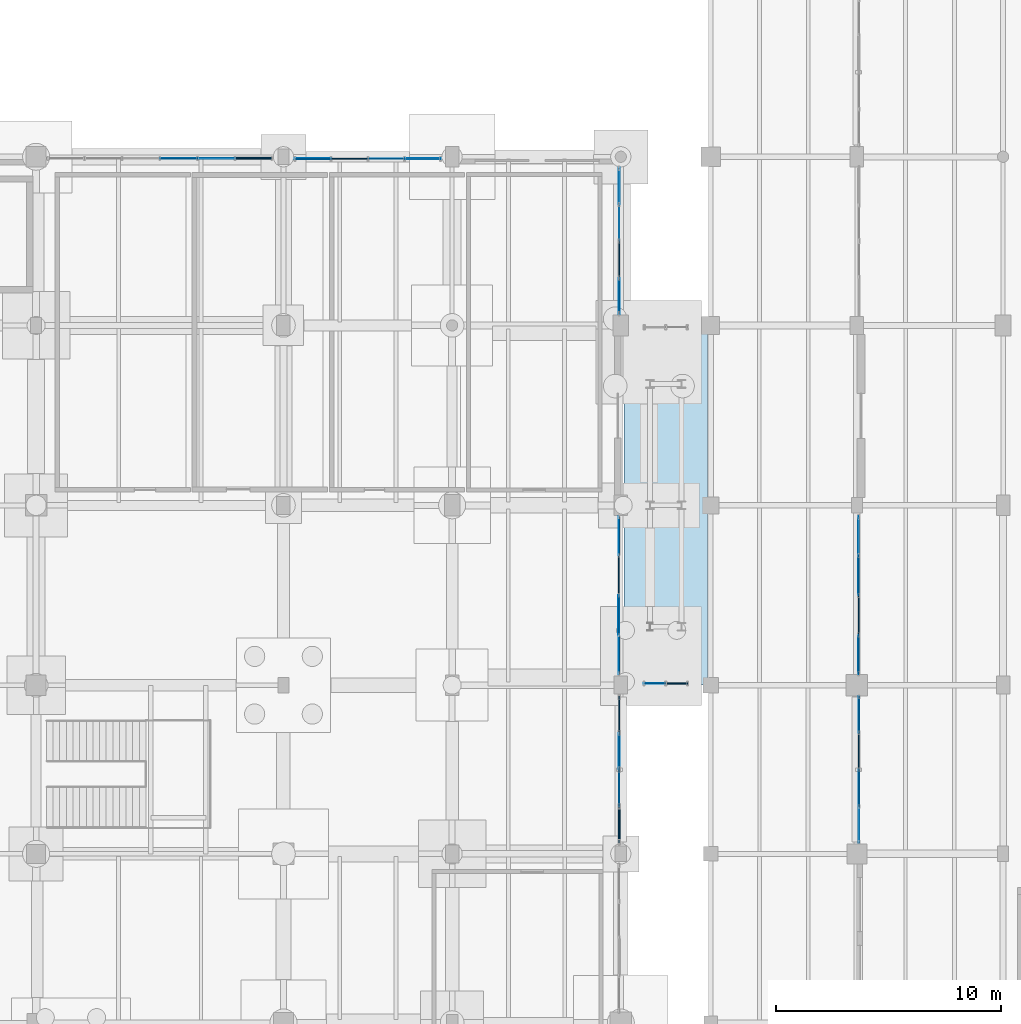
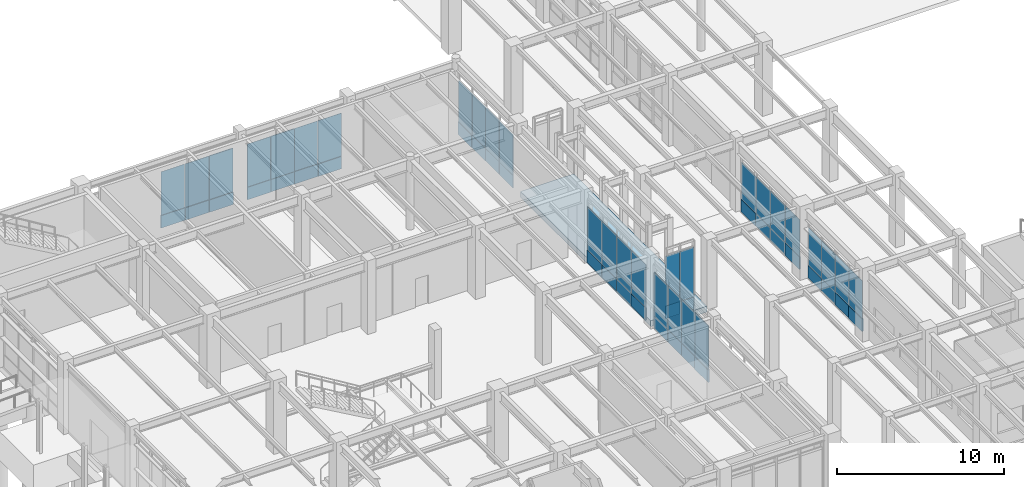
# One storey, part 151 of 203: 58 plates, 1 slab, 8 elements without a shape of their own.
"""IFC4 building model written with IfcOpenShell, lengths in metres."""

from ifc_helpers import new_model, si_unit, direction, frame, origin, origin_2d, place, context, subcontext, project, spatial, polyline, rectangle, outline, extrude, material, layer, layer_set, type_object, element, aggregate, save


model = new_model("IFC4")

# Units and contexts
model_context = context("Model", 3, precision=1e-05, world=origin(), true_north=direction((0.0, 1.0)))
body_context = subcontext(model_context, "Body", "Model", "MODEL_VIEW")
ifc_project = project(units=[si_unit("LENGTHUNIT", "METRE"), si_unit("AREAUNIT", "SQUARE_METRE"), si_unit("VOLUMEUNIT", "CUBIC_METRE"), si_unit("PLANEANGLEUNIT", "RADIAN"), si_unit("MASSUNIT", "GRAM", prefix="KILO"), si_unit("THERMODYNAMICTEMPERATUREUNIT", "KELVIN"), si_unit("POWERUNIT", "WATT")], contexts=[model_context])

# Site, building, storey
site_placement = place(None, origin())
site = spatial("IfcSite", under=ifc_project, at=site_placement, CompositionType="ELEMENT")
building_placement = place(site_placement, origin())
building = spatial("IfcBuilding", under=site, at=building_placement, Name="Tepalcoro Natatorium and Aquatics Centre", CompositionType="ELEMENT")
storey_placement = place(building_placement, origin())
storey = spatial("IfcBuildingStorey", under=building, at=storey_placement, Name="L00", CompositionType="ELEMENT", Elevation=0.0)

# Curtain wall, plate
ifc_material_1 = material(Name="Bronze-Anodised Extruded Aluminium Alloy EN AW-6063 T6", Category="aluminium")
curtain_wall_type_1 = type_object("IfcCurtainWallType", Name="CW_LEAN_T1_EW", PredefinedType="USERDEFINED", material=ifc_material_1)
curtain_wall_1_placement = place(storey_placement, origin())
curtain_wall_1 = element("IfcCurtainWall", 1, at=curtain_wall_1_placement, inside=storey, type_object=curtain_wall_type_1, Name="V1 L00 W Unitised Curtain Wall Bay 3", ObjectType="FACETED SOLAR GLAZING", PredefinedType="USERDEFINED")
ifc_material_2 = material(Name="Solar-Control Bronze Tempered Low-E Double Glazing", Category="glass")
ifc_layer_1 = layer(ifc_material_2, 0.048095703125)
ifc_layer_set_1 = layer_set([ifc_layer_1], Name="Solar-Control Bronze Tempered Low-E Double Glazing")
plate_type_1 = type_object("IfcPlateType", Name="PL_ACOUSTIC_IGU_48", PredefinedType="CURTAIN_PANEL", material=ifc_layer_set_1)
plate_1_placement = place(storey_placement, frame((46.590087890625, 25.0673828125, 0.9599609375), z_axis=(0.0, 0.0, 1.0), x_axis=(1.0, 0.0, 0.0)))
plate_1 = element("IfcPlate", 2, at=plate_1_placement, type_object=plate_type_1, Name="CW_LEAN_T1_EW Insulated Glazing Unit", PredefinedType="CURTAIN_PANEL", context=body_context, shape_type="SweptSolid", body=[
    extrude(rectangle(XDim=0.048095703125, YDim=1.614990234375, at=origin_2d()), origin(), (0.0, 0.0, 1.0), 2.77001953125),
])

curtain_wall_type_2 = type_object("IfcCurtainWallType", Name="CW_LEAN_T2_NS", PredefinedType="USERDEFINED", material=ifc_material_1)
curtain_wall_2_placement = place(storey_placement, origin())
curtain_wall_2 = element("IfcCurtainWall", 3, at=curtain_wall_2_placement, inside=storey, type_object=curtain_wall_type_2, Name="V1 L00 W Unitised Curtain Wall Bay 4", ObjectType="FACETED SOLAR GLAZING", PredefinedType="USERDEFINED")
plate_2_placement = place(storey_placement, frame((46.576171875, 31.1201171875, 0.9599609375), z_axis=(0.0, 0.0, 1.0), x_axis=(1.0, 0.0, 0.0)))
plate_2 = element("IfcPlate", 4, at=plate_2_placement, type_object=plate_type_1, Name="CW_LEAN_T2_NS Insulated Glazing Unit", PredefinedType="CURTAIN_PANEL", context=body_context, shape_type="SweptSolid", body=[
    extrude(rectangle(XDim=0.048095703125, YDim=1.739990234375, at=origin_2d()), origin(), (0.0, 0.0, 1.0), 2.69091796875),
])

curtain_wall_3_placement = place(storey_placement, origin())
curtain_wall_3 = element("IfcCurtainWall", 5, at=curtain_wall_3_placement, inside=storey, type_object=curtain_wall_type_1, Name="V3 L00 N Unitised Curtain Wall Bay 2", ObjectType="FACETED SOLAR GLAZING", PredefinedType="USERDEFINED")
plate_3_placement = place(storey_placement, frame((19.683349609375, 51.4287109375, 0.9599609375), z_axis=(0.0, 0.0, 1.0), x_axis=(1.0, 0.0, 0.0)))
plate_3 = element("IfcPlate", 6, at=plate_3_placement, type_object=plate_type_1, Name="CW_LEAN_T1_EW Insulated Glazing Unit", PredefinedType="CURTAIN_PANEL", context=body_context, shape_type="SweptSolid", body=[
    extrude(rectangle(XDim=1.6533203125, YDim=0.048095703125, at=origin_2d()), origin(), (0.0, 0.0, 1.0), 3.197021484375),
])

curtain_wall_4_placement = place(storey_placement, origin())
curtain_wall_4 = element("IfcCurtainWall", 7, at=curtain_wall_4_placement, inside=storey, type_object=curtain_wall_type_2, Name="V3 L00 N Unitised Curtain Wall Bay 3", ObjectType="FACETED SOLAR GLAZING", PredefinedType="USERDEFINED")
plate_4_placement = place(storey_placement, frame((23.9326171875, 51.409912109375, 0.9599609375), z_axis=(0.0, 0.0, 1.0), x_axis=(1.0, 0.0, 0.0)))
plate_4 = element("IfcPlate", 8, at=plate_4_placement, type_object=plate_type_1, Name="CW_LEAN_T2_NS Insulated Glazing Unit", PredefinedType="CURTAIN_PANEL", context=body_context, shape_type="SweptSolid", body=[
    extrude(rectangle(XDim=1.614990234375, YDim=0.048095703125, at=origin_2d()), origin(), (0.0, 0.0, 1.0), 3.14990234375),
])

# Curtain wall, plates
curtain_wall_type_3 = type_object("IfcCurtainWallType", Name="CW_LEAN_T2_EW", PredefinedType="USERDEFINED", material=ifc_material_1)
curtain_wall_5_placement = place(storey_placement, origin())
curtain_wall_5 = element("IfcCurtainWall", 9, at=curtain_wall_5_placement, inside=storey, type_object=curtain_wall_type_3, Name="V3 L00 E Unitised Curtain Wall Bay 3", ObjectType="FACETED SOLAR GLAZING", PredefinedType="USERDEFINED")
plate_5_placement = place(storey_placement, frame((35.9287109375, 21.797607421875, 0.9599609375), z_axis=(0.0, 0.0, 1.0), x_axis=(1.0, 0.0, 0.0)))
plate_5 = element("IfcPlate", 10, at=plate_5_placement, type_object=plate_type_1, Name="CW_LEAN_T2_EW Insulated Glazing Unit", PredefinedType="CURTAIN_PANEL", context=body_context, shape_type="SweptSolid", body=[
    extrude(rectangle(XDim=0.048095703125, YDim=1.614990234375, at=origin_2d()), origin(), (0.0, 0.0, 1.0), 3.197021484375),
])
plate_6_placement = place(storey_placement, frame((35.9287109375, 26.702392578125, 0.9599609375), z_axis=(0.0, 0.0, 1.0), x_axis=(1.0, 0.0, 0.0)))
plate_6 = element("IfcPlate", 11, at=plate_6_placement, type_object=plate_type_1, Name="CW_LEAN_T2_EW Insulated Glazing Unit", PredefinedType="CURTAIN_PANEL", context=body_context, shape_type="SweptSolid", body=[
    extrude(rectangle(XDim=0.048095703125, YDim=1.614990234375, at=origin_2d()), origin(), (0.0, 0.0, 1.0), 3.197021484375),
])

# Curtain wall, plate
curtain_wall_type_4 = type_object("IfcCurtainWallType", Name="CW_V1_PLINTH", PredefinedType="USERDEFINED", material=ifc_material_1)
curtain_wall_6_placement = place(storey_placement, origin())
curtain_wall_6 = element("IfcCurtainWall", 12, at=curtain_wall_6_placement, inside=storey, type_object=curtain_wall_type_4, Name="V3 L00 E Unitised Curtain Wall Bay 4", ObjectType="UNITISED STOREFRONT", PredefinedType="USERDEFINED")
plate_7_placement = place(storey_placement, frame((35.909912109375, 32.8798828125, 0.9599609375), z_axis=(0.0, 0.0, 1.0), x_axis=(1.0, 0.0, 0.0)))
plate_7 = element("IfcPlate", 13, at=plate_7_placement, type_object=plate_type_1, Name="CW_V1_PLINTH Insulated Glazing Unit", PredefinedType="CURTAIN_PANEL", context=body_context, shape_type="SweptSolid", body=[
    extrude(rectangle(XDim=0.048095703125, YDim=1.739990234375, at=origin_2d()), origin(), (0.0, 0.0, 1.0), 3.14990234375),
])

curtain_wall_type_5 = type_object("IfcCurtainWallType", Name="CW_V3_FOYER", PredefinedType="USERDEFINED", material=ifc_material_1)
curtain_wall_7_placement = place(storey_placement, origin())
curtain_wall_7 = element("IfcCurtainWall", 14, at=curtain_wall_7_placement, inside=storey, type_object=curtain_wall_type_5, Name="V3 L00 E Unitised Curtain Wall Bay 6", ObjectType="UNITISED STOREFRONT", PredefinedType="USERDEFINED")
plate_8_placement = place(storey_placement, frame((35.9287109375, 46.9326171875, 0.9599609375), z_axis=(0.0, 0.0, 1.0), x_axis=(1.0, 0.0, 0.0)))
plate_8 = element("IfcPlate", 15, at=plate_8_placement, type_object=plate_type_1, Name="CW_V3_FOYER Insulated Glazing Unit", PredefinedType="CURTAIN_PANEL", context=body_context, shape_type="SweptSolid", body=[
    extrude(rectangle(XDim=0.048095703125, YDim=1.614990234375, at=origin_2d()), origin(), (0.0, 0.0, 1.0), 2.998046875),
])

curtain_wall_type_6 = type_object("IfcCurtainWallType", Name="CW_LINK_150", PredefinedType="USERDEFINED", material=ifc_material_1)
curtain_wall_8_placement = place(storey_placement, origin())
curtain_wall_8 = element("IfcCurtainWall", 16, at=curtain_wall_8_placement, inside=storey, type_object=curtain_wall_type_6, Name="West Foyer Seismic Link Glazed Wall S L00", ObjectType="UNITISED STOREFRONT", PredefinedType="USERDEFINED")
plate_9_placement = place(storey_placement, frame((38.5, 28.080078125, 0.9599609375), z_axis=(0.0, 0.0, 1.0), x_axis=(1.0, 0.0, 0.0)))
plate_9 = element("IfcPlate", 17, at=plate_9_placement, type_object=plate_type_1, Name="CW_LINK_150 Insulated Glazing Unit", PredefinedType="CURTAIN_PANEL", context=body_context, shape_type="SweptSolid", body=[
    extrude(rectangle(XDim=0.97998046875, YDim=0.048095703125, at=origin_2d()), origin(), (0.0, 0.0, 1.0), 3.639892578125),
])

# Plate
ifc_layer_2 = layer(ifc_material_2, 0.028076171875)
ifc_layer_set_2 = layer_set([ifc_layer_2], Name="Solar-Control Bronze Tempered Low-E Double Glazing")
plate_type_2 = type_object("IfcPlateType", Name="PL_BRONZE_IGU_28", PredefinedType="CURTAIN_PANEL", material=ifc_layer_set_2)
plate_10_placement = place(storey_placement, frame((46.590087890625, 23.4326171875, 0.9599609375), z_axis=(0.0, 0.0, 1.0), x_axis=(1.0, 0.0, 0.0)))
plate_10 = element("IfcPlate", 18, at=plate_10_placement, type_object=plate_type_2, Name="CW_LEAN_T1_EW Insulated Glazing Unit", PredefinedType="CURTAIN_PANEL", context=body_context, shape_type="SweptSolid", body=[
    extrude(rectangle(XDim=0.028076171875, YDim=1.614990234375, at=origin_2d()), origin(), (0.0, 0.0, 1.0), 2.77001953125),
])

plate_11_placement = place(storey_placement, frame((46.576171875, 29.360107421875, 0.9599609375), z_axis=(0.0, 0.0, 1.0), x_axis=(1.0, 0.0, 0.0)))
plate_11 = element("IfcPlate", 19, at=plate_11_placement, type_object=plate_type_2, Name="CW_LEAN_T2_NS Insulated Glazing Unit", PredefinedType="CURTAIN_PANEL", context=body_context, shape_type="SweptSolid", body=[
    extrude(rectangle(XDim=0.028076171875, YDim=1.739990234375, at=origin_2d()), origin(), (0.0, 0.0, 1.0), 2.69091796875),
])

plate_12_placement = place(storey_placement, frame((46.576171875, 34.639892578125, 0.9599609375), z_axis=(0.0, 0.0, 1.0), x_axis=(1.0, 0.0, 0.0)))
plate_12 = element("IfcPlate", 20, at=plate_12_placement, type_object=plate_type_2, Name="CW_LEAN_T2_NS Insulated Glazing Unit", PredefinedType="CURTAIN_PANEL", context=body_context, shape_type="SweptSolid", body=[
    extrude(rectangle(XDim=0.028076171875, YDim=1.739990234375, at=origin_2d()), origin(), (0.0, 0.0, 1.0), 2.69091796875),
])

plate_13_placement = place(storey_placement, frame((18.010009765625, 51.4287109375, 0.9599609375), z_axis=(0.0, 0.0, 1.0), x_axis=(1.0, 0.0, 0.0)))
plate_13 = element("IfcPlate", 21, at=plate_13_placement, type_object=plate_type_2, Name="CW_LEAN_T1_EW Insulated Glazing Unit", PredefinedType="CURTAIN_PANEL", context=body_context, shape_type="SweptSolid", body=[
    extrude(rectangle(XDim=1.6533203125, YDim=0.028076171875, at=origin_2d()), origin(), (0.0, 0.0, 1.0), 3.197021484375),
])

plate_14_placement = place(storey_placement, frame((22.297607421875, 51.409912109375, 0.9599609375), z_axis=(0.0, 0.0, 1.0), x_axis=(1.0, 0.0, 0.0)))
plate_14 = element("IfcPlate", 22, at=plate_14_placement, type_object=plate_type_2, Name="CW_LEAN_T2_NS Insulated Glazing Unit", PredefinedType="CURTAIN_PANEL", context=body_context, shape_type="SweptSolid", body=[
    extrude(rectangle(XDim=1.614990234375, YDim=0.028076171875, at=origin_2d()), origin(), (0.0, 0.0, 1.0), 3.14990234375),
])

plate_15_placement = place(storey_placement, frame((27.202392578125, 51.409912109375, 0.9599609375), z_axis=(0.0, 0.0, 1.0), x_axis=(1.0, 0.0, 0.0)))
plate_15 = element("IfcPlate", 23, at=plate_15_placement, type_object=plate_type_2, Name="CW_LEAN_T2_NS Insulated Glazing Unit", PredefinedType="CURTAIN_PANEL", context=body_context, shape_type="SweptSolid", body=[
    extrude(rectangle(XDim=1.614990234375, YDim=0.028076171875, at=origin_2d()), origin(), (0.0, 0.0, 1.0), 3.14990234375),
])

plate_16_placement = place(storey_placement, frame((35.9287109375, 25.0673828125, 0.9599609375), z_axis=(0.0, 0.0, 1.0), x_axis=(1.0, 0.0, 0.0)))
plate_16 = element("IfcPlate", 24, at=plate_16_placement, type_object=plate_type_2, Name="CW_LEAN_T2_EW Insulated Glazing Unit", PredefinedType="CURTAIN_PANEL", context=body_context, shape_type="SweptSolid", body=[
    extrude(rectangle(XDim=0.028076171875, YDim=1.614990234375, at=origin_2d()), origin(), (0.0, 0.0, 1.0), 3.197021484375),
])

plate_17_placement = place(storey_placement, frame((35.909912109375, 31.1201171875, 0.9599609375), z_axis=(0.0, 0.0, 1.0), x_axis=(1.0, 0.0, 0.0)))
plate_17 = element("IfcPlate", 25, at=plate_17_placement, type_object=plate_type_2, Name="CW_V1_PLINTH Insulated Glazing Unit", PredefinedType="CURTAIN_PANEL", context=body_context, shape_type="SweptSolid", body=[
    extrude(rectangle(XDim=0.028076171875, YDim=1.739990234375, at=origin_2d()), origin(), (0.0, 0.0, 1.0), 3.14990234375),
])

plate_18_placement = place(storey_placement, frame((35.9287109375, 45.297607421875, 0.9599609375), z_axis=(0.0, 0.0, 1.0), x_axis=(1.0, 0.0, 0.0)))
plate_18 = element("IfcPlate", 26, at=plate_18_placement, type_object=plate_type_2, Name="CW_V3_FOYER Insulated Glazing Unit", PredefinedType="CURTAIN_PANEL", context=body_context, shape_type="SweptSolid", body=[
    extrude(rectangle(XDim=0.028076171875, YDim=1.614990234375, at=origin_2d()), origin(), (0.0, 0.0, 1.0), 2.998046875),
])

plate_19_placement = place(storey_placement, frame((35.9287109375, 50.202392578125, 0.9599609375), z_axis=(0.0, 0.0, 1.0), x_axis=(1.0, 0.0, 0.0)))
plate_19 = element("IfcPlate", 27, at=plate_19_placement, type_object=plate_type_2, Name="CW_V3_FOYER Insulated Glazing Unit", PredefinedType="CURTAIN_PANEL", context=body_context, shape_type="SweptSolid", body=[
    extrude(rectangle(XDim=0.028076171875, YDim=1.614990234375, at=origin_2d()), origin(), (0.0, 0.0, 1.0), 2.998046875),
])

plate_20_placement = place(storey_placement, frame((37.5, 28.080078125, 0.9599609375), z_axis=(0.0, 0.0, 1.0), x_axis=(1.0, 0.0, 0.0)))
plate_20 = element("IfcPlate", 28, at=plate_20_placement, type_object=plate_type_2, Name="CW_LINK_150 Insulated Glazing Unit", PredefinedType="CURTAIN_PANEL", context=body_context, shape_type="SweptSolid", body=[
    extrude(rectangle(XDim=0.97998046875, YDim=0.028076171875, at=origin_2d()), origin(), (0.0, 0.0, 1.0), 3.639892578125),
])

ifc_material_3 = material(Name="Jalisco Cantera Rosa Volcanic Tuff Ashlar Masonry", Category="masonry")
ifc_layer_3 = layer(ifc_material_3, 0.090087890625)
ifc_layer_set_3 = layer_set([ifc_layer_3], Name="Jalisco Cantera Rosa Volcanic Tuff Ashlar Masonry")
plate_type_3 = type_object("IfcPlateType", Name="PL_CANTERA_90", PredefinedType="SHEET", material=ifc_layer_set_3)
plate_21_placement = place(storey_placement, frame((46.576171875, 34.639892578125, 0.044921875), z_axis=(0.0, 0.0, 1.0), x_axis=(1.0, 0.0, 0.0)))
plate_21 = element("IfcPlate", 29, at=plate_21_placement, type_object=plate_type_3, Name="CW_LEAN_T2_NS Spandrel & Screen Panel", PredefinedType="SHEET", context=body_context, shape_type="SweptSolid", body=[
    extrude(rectangle(XDim=0.090087890625, YDim=1.739990234375, at=origin_2d()), origin(), (0.0, 0.0, 1.0), 0.909912109375),
])

plate_22_placement = place(storey_placement, frame((18.010009765625, 51.4287109375, 0.044921875), z_axis=(0.0, 0.0, 1.0), x_axis=(1.0, 0.0, 0.0)))
plate_22 = element("IfcPlate", 30, at=plate_22_placement, type_object=plate_type_3, Name="CW_LEAN_T1_EW Spandrel & Screen Panel", PredefinedType="SHEET", context=body_context, shape_type="SweptSolid", body=[
    extrude(rectangle(XDim=1.6533203125, YDim=0.090087890625, at=origin_2d()), origin(), (0.0, 0.0, 1.0), 0.909912109375),
])

plate_23_placement = place(storey_placement, frame((27.202392578125, 51.409912109375, 0.044921875), z_axis=(0.0, 0.0, 1.0), x_axis=(1.0, 0.0, 0.0)))
plate_23 = element("IfcPlate", 31, at=plate_23_placement, type_object=plate_type_3, Name="CW_LEAN_T2_NS Spandrel & Screen Panel", PredefinedType="SHEET", context=body_context, shape_type="SweptSolid", body=[
    extrude(rectangle(XDim=1.614990234375, YDim=0.090087890625, at=origin_2d()), origin(), (0.0, 0.0, 1.0), 0.909912109375),
])

plate_24_placement = place(storey_placement, frame((35.909912109375, 34.639892578125, 0.044921875), z_axis=(0.0, 0.0, 1.0), x_axis=(1.0, 0.0, 0.0)))
plate_24 = element("IfcPlate", 32, at=plate_24_placement, type_object=plate_type_3, Name="CW_V1_PLINTH Spandrel & Screen Panel", PredefinedType="SHEET", context=body_context, shape_type="SweptSolid", body=[
    extrude(rectangle(XDim=0.090087890625, YDim=1.739990234375, at=origin_2d()), origin(), (0.0, 0.0, 1.0), 0.909912109375),
])

plate_25_placement = place(storey_placement, frame((35.9287109375, 48.5673828125, 0.044921875), z_axis=(0.0, 0.0, 1.0), x_axis=(1.0, 0.0, 0.0)))
plate_25 = element("IfcPlate", 33, at=plate_25_placement, type_object=plate_type_3, Name="CW_V3_FOYER Spandrel & Screen Panel", PredefinedType="SHEET", context=body_context, shape_type="SweptSolid", body=[
    extrude(rectangle(XDim=0.090087890625, YDim=1.614990234375, at=origin_2d()), origin(), (0.0, 0.0, 1.0), 0.909912109375),
])

ifc_material_4 = material(Name="Clear Tempered Low-E Safety Glazing", Category="glass")
ifc_layer_4 = layer(ifc_material_4, 0.011962890625)
ifc_layer_set_4 = layer_set([ifc_layer_4], Name="Clear Tempered Low-E Safety Glazing")
plate_type_4 = type_object("IfcPlateType", Name="PL_GLASS_12", PredefinedType="CURTAIN_PANEL", material=ifc_layer_set_4)
plate_26_placement = place(storey_placement, frame((46.590087890625, 21.797607421875, 0.9599609375), z_axis=(0.0, 0.0, 1.0), x_axis=(1.0, 0.0, 0.0)))
plate_26 = element("IfcPlate", 34, at=plate_26_placement, type_object=plate_type_4, Name="CW_LEAN_T1_EW Insulated Glazing Unit", PredefinedType="CURTAIN_PANEL", context=body_context, shape_type="SweptSolid", body=[
    extrude(rectangle(XDim=0.011962890625, YDim=1.614990234375, at=origin_2d()), origin(), (0.0, 0.0, 1.0), 2.77001953125),
])

plate_27_placement = place(storey_placement, frame((46.590087890625, 26.702392578125, 0.9599609375), z_axis=(0.0, 0.0, 1.0), x_axis=(1.0, 0.0, 0.0)))
plate_27 = element("IfcPlate", 35, at=plate_27_placement, type_object=plate_type_4, Name="CW_LEAN_T1_EW Insulated Glazing Unit", PredefinedType="CURTAIN_PANEL", context=body_context, shape_type="SweptSolid", body=[
    extrude(rectangle(XDim=0.011962890625, YDim=1.614990234375, at=origin_2d()), origin(), (0.0, 0.0, 1.0), 2.77001953125),
])

plate_28_placement = place(storey_placement, frame((46.576171875, 32.8798828125, 0.9599609375), z_axis=(0.0, 0.0, 1.0), x_axis=(1.0, 0.0, 0.0)))
plate_28 = element("IfcPlate", 36, at=plate_28_placement, type_object=plate_type_4, Name="CW_LEAN_T2_NS Insulated Glazing Unit", PredefinedType="CURTAIN_PANEL", context=body_context, shape_type="SweptSolid", body=[
    extrude(rectangle(XDim=0.011962890625, YDim=1.739990234375, at=origin_2d()), origin(), (0.0, 0.0, 1.0), 2.69091796875),
])

plate_29_placement = place(storey_placement, frame((16.336669921875, 51.4287109375, 0.9599609375), z_axis=(0.0, 0.0, 1.0), x_axis=(1.0, 0.0, 0.0)))
plate_29 = element("IfcPlate", 37, at=plate_29_placement, type_object=plate_type_4, Name="CW_LEAN_T1_EW Insulated Glazing Unit", PredefinedType="CURTAIN_PANEL", context=body_context, shape_type="SweptSolid", body=[
    extrude(rectangle(XDim=1.6533203125, YDim=0.011962890625, at=origin_2d()), origin(), (0.0, 0.0, 1.0), 3.197021484375),
])

plate_30_placement = place(storey_placement, frame((25.5673828125, 51.409912109375, 0.9599609375), z_axis=(0.0, 0.0, 1.0), x_axis=(1.0, 0.0, 0.0)))
plate_30 = element("IfcPlate", 38, at=plate_30_placement, type_object=plate_type_4, Name="CW_LEAN_T2_NS Insulated Glazing Unit", PredefinedType="CURTAIN_PANEL", context=body_context, shape_type="SweptSolid", body=[
    extrude(rectangle(XDim=1.614990234375, YDim=0.011962890625, at=origin_2d()), origin(), (0.0, 0.0, 1.0), 3.14990234375),
])

plate_31_placement = place(storey_placement, frame((35.9287109375, 23.4326171875, 0.9599609375), z_axis=(0.0, 0.0, 1.0), x_axis=(1.0, 0.0, 0.0)))
plate_31 = element("IfcPlate", 39, at=plate_31_placement, type_object=plate_type_4, Name="CW_LEAN_T2_EW Insulated Glazing Unit", PredefinedType="CURTAIN_PANEL", context=body_context, shape_type="SweptSolid", body=[
    extrude(rectangle(XDim=0.011962890625, YDim=1.614990234375, at=origin_2d()), origin(), (0.0, 0.0, 1.0), 3.197021484375),
])

plate_32_placement = place(storey_placement, frame((35.909912109375, 29.360107421875, 0.9599609375), z_axis=(0.0, 0.0, 1.0), x_axis=(1.0, 0.0, 0.0)))
plate_32 = element("IfcPlate", 40, at=plate_32_placement, type_object=plate_type_4, Name="CW_V1_PLINTH Insulated Glazing Unit", PredefinedType="CURTAIN_PANEL", context=body_context, shape_type="SweptSolid", body=[
    extrude(rectangle(XDim=0.011962890625, YDim=1.739990234375, at=origin_2d()), origin(), (0.0, 0.0, 1.0), 3.14990234375),
])

plate_33_placement = place(storey_placement, frame((35.909912109375, 34.639892578125, 0.9599609375), z_axis=(0.0, 0.0, 1.0), x_axis=(1.0, 0.0, 0.0)))
plate_33 = element("IfcPlate", 41, at=plate_33_placement, type_object=plate_type_4, Name="CW_V1_PLINTH Insulated Glazing Unit", PredefinedType="CURTAIN_PANEL", context=body_context, shape_type="SweptSolid", body=[
    extrude(rectangle(XDim=0.011962890625, YDim=1.739990234375, at=origin_2d()), origin(), (0.0, 0.0, 1.0), 3.14990234375),
])

plate_34_placement = place(storey_placement, frame((35.9287109375, 48.5673828125, 0.9599609375), z_axis=(0.0, 0.0, 1.0), x_axis=(1.0, 0.0, 0.0)))
plate_34 = element("IfcPlate", 42, at=plate_34_placement, type_object=plate_type_4, Name="CW_V3_FOYER Insulated Glazing Unit", PredefinedType="CURTAIN_PANEL", context=body_context, shape_type="SweptSolid", body=[
    extrude(rectangle(XDim=0.011962890625, YDim=1.614990234375, at=origin_2d()), origin(), (0.0, 0.0, 1.0), 2.998046875),
])

ifc_material_5 = material(Name="Volcanic Recinto Basalt Ashlar Masonry", Category="masonry")
ifc_layer_5 = layer(ifc_material_5, 0.110107421875)
ifc_layer_set_5 = layer_set([ifc_layer_5], Name="Volcanic Recinto Basalt Ashlar Masonry")
plate_type_5 = type_object("IfcPlateType", Name="PL_RECINTO_110", PredefinedType="SHEET", material=ifc_layer_set_5)
plate_35_placement = place(storey_placement, frame((46.590087890625, 21.797607421875, 0.044921875), z_axis=(0.0, 0.0, 1.0), x_axis=(1.0, 0.0, 0.0)))
plate_35 = element("IfcPlate", 43, at=plate_35_placement, type_object=plate_type_5, Name="CW_LEAN_T1_EW Spandrel & Screen Panel", PredefinedType="SHEET", context=body_context, shape_type="SweptSolid", body=[
    extrude(rectangle(XDim=0.110107421875, YDim=1.614990234375, at=origin_2d()), origin(), (0.0, 0.0, 1.0), 0.909912109375),
])

plate_36_placement = place(storey_placement, frame((19.683349609375, 51.4287109375, 0.044921875), z_axis=(0.0, 0.0, 1.0), x_axis=(1.0, 0.0, 0.0)))
plate_36 = element("IfcPlate", 44, at=plate_36_placement, type_object=plate_type_5, Name="CW_LEAN_T1_EW Spandrel & Screen Panel", PredefinedType="SHEET", context=body_context, shape_type="SweptSolid", body=[
    extrude(rectangle(XDim=1.6533203125, YDim=0.110107421875, at=origin_2d()), origin(), (0.0, 0.0, 1.0), 0.909912109375),
])

plate_37_placement = place(storey_placement, frame((35.9287109375, 21.797607421875, 0.044921875), z_axis=(0.0, 0.0, 1.0), x_axis=(1.0, 0.0, 0.0)))
plate_37 = element("IfcPlate", 45, at=plate_37_placement, type_object=plate_type_5, Name="CW_LEAN_T2_EW Spandrel & Screen Panel", PredefinedType="SHEET", context=body_context, shape_type="SweptSolid", body=[
    extrude(rectangle(XDim=0.110107421875, YDim=1.614990234375, at=origin_2d()), origin(), (0.0, 0.0, 1.0), 0.909912109375),
])

plate_38_placement = place(storey_placement, frame((35.9287109375, 50.202392578125, 0.044921875), z_axis=(0.0, 0.0, 1.0), x_axis=(1.0, 0.0, 0.0)))
plate_38 = element("IfcPlate", 46, at=plate_38_placement, type_object=plate_type_5, Name="CW_V3_FOYER Spandrel & Screen Panel", PredefinedType="SHEET", context=body_context, shape_type="SweptSolid", body=[
    extrude(rectangle(XDim=0.110107421875, YDim=1.614990234375, at=origin_2d()), origin(), (0.0, 0.0, 1.0), 0.909912109375),
])

ifc_layer_6 = layer(ifc_material_1, 0.050048828125)
ifc_layer_set_6 = layer_set([ifc_layer_6], Name="Bronze-Anodised Extruded Aluminium Alloy EN AW-6063 T6")
plate_type_6 = type_object("IfcPlateType", Name="PL_SCREEN_50", PredefinedType="SHEET", material=ifc_layer_set_6)
plate_39_placement = place(storey_placement, frame((46.590087890625, 25.0673828125, 0.044921875), z_axis=(0.0, 0.0, 1.0), x_axis=(1.0, 0.0, 0.0)))
plate_39 = element("IfcPlate", 47, at=plate_39_placement, type_object=plate_type_6, Name="CW_LEAN_T1_EW Spandrel & Screen Panel", PredefinedType="SHEET", context=body_context, shape_type="SweptSolid", body=[
    extrude(rectangle(XDim=0.050048828125, YDim=1.614990234375, at=origin_2d()), origin(), (0.0, 0.0, 1.0), 0.909912109375),
])

plate_40_placement = place(storey_placement, frame((46.576171875, 31.1201171875, 0.044921875), z_axis=(0.0, 0.0, 1.0), x_axis=(1.0, 0.0, 0.0)))
plate_40 = element("IfcPlate", 48, at=plate_40_placement, type_object=plate_type_6, Name="CW_LEAN_T2_NS Spandrel & Screen Panel", PredefinedType="SHEET", context=body_context, shape_type="SweptSolid", body=[
    extrude(rectangle(XDim=0.050048828125, YDim=1.739990234375, at=origin_2d()), origin(), (0.0, 0.0, 1.0), 0.909912109375),
])

plate_41_placement = place(storey_placement, frame((23.9326171875, 51.409912109375, 0.044921875), z_axis=(0.0, 0.0, 1.0), x_axis=(1.0, 0.0, 0.0)))
plate_41 = element("IfcPlate", 49, at=plate_41_placement, type_object=plate_type_6, Name="CW_LEAN_T2_NS Spandrel & Screen Panel", PredefinedType="SHEET", context=body_context, shape_type="SweptSolid", body=[
    extrude(rectangle(XDim=1.614990234375, YDim=0.050048828125, at=origin_2d()), origin(), (0.0, 0.0, 1.0), 0.909912109375),
])

plate_42_placement = place(storey_placement, frame((35.9287109375, 25.0673828125, 0.044921875), z_axis=(0.0, 0.0, 1.0), x_axis=(1.0, 0.0, 0.0)))
plate_42 = element("IfcPlate", 50, at=plate_42_placement, type_object=plate_type_6, Name="CW_LEAN_T2_EW Spandrel & Screen Panel", PredefinedType="SHEET", context=body_context, shape_type="SweptSolid", body=[
    extrude(rectangle(XDim=0.050048828125, YDim=1.614990234375, at=origin_2d()), origin(), (0.0, 0.0, 1.0), 0.909912109375),
])

plate_43_placement = place(storey_placement, frame((35.909912109375, 31.1201171875, 0.044921875), z_axis=(0.0, 0.0, 1.0), x_axis=(1.0, 0.0, 0.0)))
plate_43 = element("IfcPlate", 51, at=plate_43_placement, type_object=plate_type_6, Name="CW_V1_PLINTH Spandrel & Screen Panel", PredefinedType="SHEET", context=body_context, shape_type="SweptSolid", body=[
    extrude(rectangle(XDim=0.050048828125, YDim=1.739990234375, at=origin_2d()), origin(), (0.0, 0.0, 1.0), 0.909912109375),
])

plate_44_placement = place(storey_placement, frame((35.9287109375, 45.297607421875, 0.044921875), z_axis=(0.0, 0.0, 1.0), x_axis=(1.0, 0.0, 0.0)))
plate_44 = element("IfcPlate", 52, at=plate_44_placement, type_object=plate_type_6, Name="CW_V3_FOYER Spandrel & Screen Panel", PredefinedType="SHEET", context=body_context, shape_type="SweptSolid", body=[
    extrude(rectangle(XDim=0.050048828125, YDim=1.614990234375, at=origin_2d()), origin(), (0.0, 0.0, 1.0), 0.909912109375),
])

plate_45_placement = place(storey_placement, frame((37.5, 28.080078125, 0.044921875), z_axis=(0.0, 0.0, 1.0), x_axis=(1.0, 0.0, 0.0)))
plate_45 = element("IfcPlate", 53, at=plate_45_placement, type_object=plate_type_6, Name="CW_LINK_150 Spandrel & Screen Panel", PredefinedType="SHEET", context=body_context, shape_type="SweptSolid", body=[
    extrude(rectangle(XDim=0.97998046875, YDim=0.050048828125, at=origin_2d()), origin(), (0.0, 0.0, 1.0), 0.909912109375),
])

ifc_layer_7 = layer(ifc_material_1, 0.06005859375)
ifc_layer_set_7 = layer_set([ifc_layer_7], Name="Bronze-Anodised Extruded Aluminium Alloy EN AW-6063 T6")
plate_type_7 = type_object("IfcPlateType", Name="PL_SCREEN_60", PredefinedType="SHEET", material=ifc_layer_set_7)
plate_46_placement = place(storey_placement, frame((46.590087890625, 26.702392578125, 0.044921875), z_axis=(0.0, 0.0, 1.0), x_axis=(1.0, 0.0, 0.0)))
plate_46 = element("IfcPlate", 54, at=plate_46_placement, type_object=plate_type_7, Name="CW_LEAN_T1_EW Spandrel & Screen Panel", PredefinedType="SHEET", context=body_context, shape_type="SweptSolid", body=[
    extrude(rectangle(XDim=0.06005859375, YDim=1.614990234375, at=origin_2d()), origin(), (0.0, 0.0, 1.0), 0.909912109375),
])

plate_47_placement = place(storey_placement, frame((46.576171875, 32.8798828125, 0.044921875), z_axis=(0.0, 0.0, 1.0), x_axis=(1.0, 0.0, 0.0)))
plate_47 = element("IfcPlate", 55, at=plate_47_placement, type_object=plate_type_7, Name="CW_LEAN_T2_NS Spandrel & Screen Panel", PredefinedType="SHEET", context=body_context, shape_type="SweptSolid", body=[
    extrude(rectangle(XDim=0.06005859375, YDim=1.739990234375, at=origin_2d()), origin(), (0.0, 0.0, 1.0), 0.909912109375),
])

plate_48_placement = place(storey_placement, frame((16.336669921875, 51.4287109375, 0.044921875), z_axis=(0.0, 0.0, 1.0), x_axis=(1.0, 0.0, 0.0)))
plate_48 = element("IfcPlate", 56, at=plate_48_placement, type_object=plate_type_7, Name="CW_LEAN_T1_EW Spandrel & Screen Panel", PredefinedType="SHEET", context=body_context, shape_type="SweptSolid", body=[
    extrude(rectangle(XDim=1.6533203125, YDim=0.06005859375, at=origin_2d()), origin(), (0.0, 0.0, 1.0), 0.909912109375),
])

aggregate(curtain_wall_3, [plate_29, plate_48, plate_13, plate_22, plate_3, plate_36])

plate_49_placement = place(storey_placement, frame((25.5673828125, 51.409912109375, 0.044921875), z_axis=(0.0, 0.0, 1.0), x_axis=(1.0, 0.0, 0.0)))
plate_49 = element("IfcPlate", 57, at=plate_49_placement, type_object=plate_type_7, Name="CW_LEAN_T2_NS Spandrel & Screen Panel", PredefinedType="SHEET", context=body_context, shape_type="SweptSolid", body=[
    extrude(rectangle(XDim=1.614990234375, YDim=0.06005859375, at=origin_2d()), origin(), (0.0, 0.0, 1.0), 0.909912109375),
])

plate_50_placement = place(storey_placement, frame((35.9287109375, 26.702392578125, 0.044921875), z_axis=(0.0, 0.0, 1.0), x_axis=(1.0, 0.0, 0.0)))
plate_50 = element("IfcPlate", 58, at=plate_50_placement, type_object=plate_type_7, Name="CW_LEAN_T2_EW Spandrel & Screen Panel", PredefinedType="SHEET", context=body_context, shape_type="SweptSolid", body=[
    extrude(rectangle(XDim=0.06005859375, YDim=1.614990234375, at=origin_2d()), origin(), (0.0, 0.0, 1.0), 0.909912109375),
])

plate_51_placement = place(storey_placement, frame((35.909912109375, 32.8798828125, 0.044921875), z_axis=(0.0, 0.0, 1.0), x_axis=(1.0, 0.0, 0.0)))
plate_51 = element("IfcPlate", 59, at=plate_51_placement, type_object=plate_type_7, Name="CW_V1_PLINTH Spandrel & Screen Panel", PredefinedType="SHEET", context=body_context, shape_type="SweptSolid", body=[
    extrude(rectangle(XDim=0.06005859375, YDim=1.739990234375, at=origin_2d()), origin(), (0.0, 0.0, 1.0), 0.909912109375),
])

plate_52_placement = place(storey_placement, frame((35.9287109375, 46.9326171875, 0.044921875), z_axis=(0.0, 0.0, 1.0), x_axis=(1.0, 0.0, 0.0)))
plate_52 = element("IfcPlate", 60, at=plate_52_placement, type_object=plate_type_7, Name="CW_V3_FOYER Spandrel & Screen Panel", PredefinedType="SHEET", context=body_context, shape_type="SweptSolid", body=[
    extrude(rectangle(XDim=0.06005859375, YDim=1.614990234375, at=origin_2d()), origin(), (0.0, 0.0, 1.0), 0.909912109375),
])

aggregate(curtain_wall_7, [plate_18, plate_44, plate_8, plate_52, plate_34, plate_25, plate_19, plate_38])

plate_53_placement = place(storey_placement, frame((38.5, 28.080078125, 0.044921875), z_axis=(0.0, 0.0, 1.0), x_axis=(1.0, 0.0, 0.0)))
plate_53 = element("IfcPlate", 61, at=plate_53_placement, type_object=plate_type_7, Name="CW_LINK_150 Spandrel & Screen Panel", PredefinedType="SHEET", context=body_context, shape_type="SweptSolid", body=[
    extrude(rectangle(XDim=0.97998046875, YDim=0.06005859375, at=origin_2d()), origin(), (0.0, 0.0, 1.0), 0.909912109375),
])

aggregate(curtain_wall_8, [plate_20, plate_45, plate_9, plate_53])

ifc_material_6 = material(Name="Insulated Bronze Anodised Aluminium Spandrel Panel", Category="aluminium")
ifc_layer_8 = layer(ifc_material_6, 0.070068359375)
ifc_layer_set_8 = layer_set([ifc_layer_8], Name="Insulated Bronze Anodised Aluminium Spandrel Panel")
plate_type_8 = type_object("IfcPlateType", Name="PL_SPANDREL_70", PredefinedType="CURTAIN_PANEL", material=ifc_layer_set_8)
plate_54_placement = place(storey_placement, frame((46.590087890625, 23.4326171875, 0.044921875), z_axis=(0.0, 0.0, 1.0), x_axis=(1.0, 0.0, 0.0)))
plate_54 = element("IfcPlate", 62, at=plate_54_placement, type_object=plate_type_8, Name="CW_LEAN_T1_EW Spandrel & Screen Panel", PredefinedType="CURTAIN_PANEL", context=body_context, shape_type="SweptSolid", body=[
    extrude(rectangle(XDim=0.070068359375, YDim=1.614990234375, at=origin_2d()), origin(), (0.0, 0.0, 1.0), 0.909912109375),
])

aggregate(curtain_wall_1, [plate_26, plate_35, plate_10, plate_54, plate_1, plate_39, plate_27, plate_46])

plate_55_placement = place(storey_placement, frame((46.576171875, 29.360107421875, 0.044921875), z_axis=(0.0, 0.0, 1.0), x_axis=(1.0, 0.0, 0.0)))
plate_55 = element("IfcPlate", 63, at=plate_55_placement, type_object=plate_type_8, Name="CW_LEAN_T2_NS Spandrel & Screen Panel", PredefinedType="CURTAIN_PANEL", context=body_context, shape_type="SweptSolid", body=[
    extrude(rectangle(XDim=0.070068359375, YDim=1.739990234375, at=origin_2d()), origin(), (0.0, 0.0, 1.0), 0.909912109375),
])

aggregate(curtain_wall_2, [plate_11, plate_55, plate_2, plate_40, plate_28, plate_47, plate_12, plate_21])

plate_56_placement = place(storey_placement, frame((22.297607421875, 51.409912109375, 0.044921875), z_axis=(0.0, 0.0, 1.0), x_axis=(1.0, 0.0, 0.0)))
plate_56 = element("IfcPlate", 64, at=plate_56_placement, type_object=plate_type_8, Name="CW_LEAN_T2_NS Spandrel & Screen Panel", PredefinedType="CURTAIN_PANEL", context=body_context, shape_type="SweptSolid", body=[
    extrude(rectangle(XDim=1.614990234375, YDim=0.070068359375, at=origin_2d()), origin(), (0.0, 0.0, 1.0), 0.909912109375),
])

aggregate(curtain_wall_4, [plate_14, plate_56, plate_4, plate_41, plate_30, plate_49, plate_15, plate_23])

plate_57_placement = place(storey_placement, frame((35.9287109375, 23.4326171875, 0.044921875), z_axis=(0.0, 0.0, 1.0), x_axis=(1.0, 0.0, 0.0)))
plate_57 = element("IfcPlate", 65, at=plate_57_placement, type_object=plate_type_8, Name="CW_LEAN_T2_EW Spandrel & Screen Panel", PredefinedType="CURTAIN_PANEL", context=body_context, shape_type="SweptSolid", body=[
    extrude(rectangle(XDim=0.070068359375, YDim=1.614990234375, at=origin_2d()), origin(), (0.0, 0.0, 1.0), 0.909912109375),
])

aggregate(curtain_wall_5, [plate_5, plate_37, plate_31, plate_57, plate_16, plate_42, plate_6, plate_50])

plate_58_placement = place(storey_placement, frame((35.909912109375, 29.360107421875, 0.044921875), z_axis=(0.0, 0.0, 1.0), x_axis=(1.0, 0.0, 0.0)))
plate_58 = element("IfcPlate", 66, at=plate_58_placement, type_object=plate_type_8, Name="CW_V1_PLINTH Spandrel & Screen Panel", PredefinedType="CURTAIN_PANEL", context=body_context, shape_type="SweptSolid", body=[
    extrude(rectangle(XDim=0.070068359375, YDim=1.739990234375, at=origin_2d()), origin(), (0.0, 0.0, 1.0), 0.909912109375),
])

aggregate(curtain_wall_6, [plate_32, plate_58, plate_17, plate_43, plate_7, plate_51, plate_33, plate_24])

# Slab
ifc_material_7 = material(Name="Concrete C40/50 (fc 40 MPa)", Category="concrete")
ifc_layer_9 = layer(ifc_material_7, 0.419921875)
ifc_layer_set_9 = layer_set([ifc_layer_9], Name="Concrete C40/50 (fc 40 MPa)")
slab_type = type_object("IfcSlabType", Name="SL_BASE_420", PredefinedType="BASESLAB", material=ifc_layer_set_9)
slab_placement = place(storey_placement, frame((0.0, 0.0, -0.419921875)))
element("IfcSlab", 67, at=slab_placement, inside=storey, type_object=slab_type, Name="West Foyer Seismic Link L00 Slab", PredefinedType="BASESLAB", context=body_context, shape_type="SweptSolid", body=[
    extrude(outline(polyline([(36.14990234375, 44.0), (39.85009765625, 44.0), (39.85009765625, 28.0), (36.5, 28.0), (36.5, 28.35009765625), (36.14990234375, 28.35009765625), (36.14990234375, 44.0)])), origin(), (0.0, 0.0, 1.0), 0.419921875),
])

save(model, "model.ifc")
